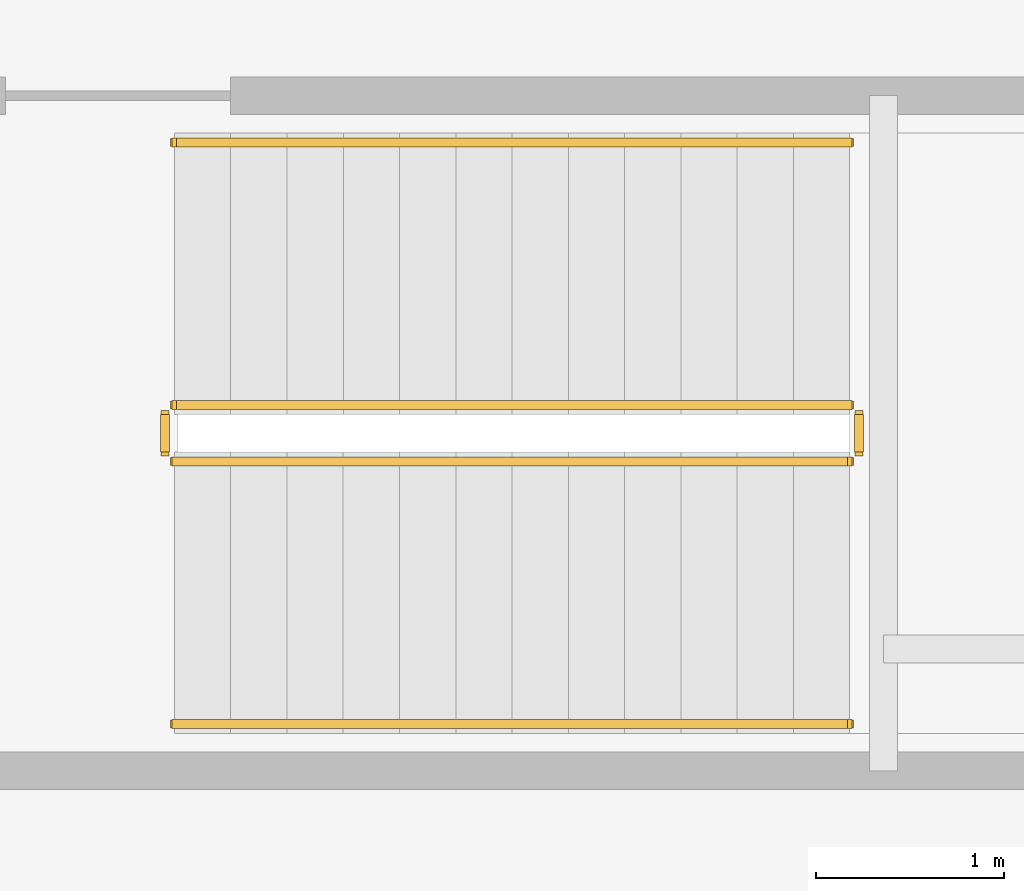
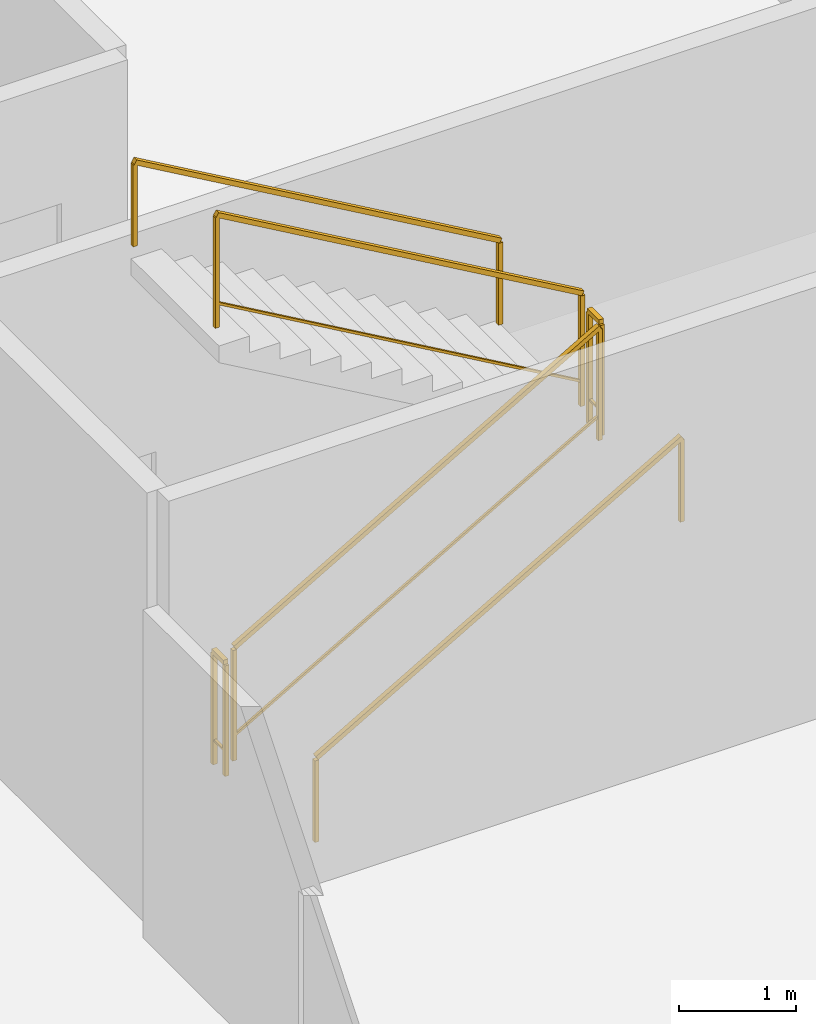
# One storey, part 14 of 14: 6 railings.
"""IFC4 building model written with IfcOpenShell, lengths in metres."""

import ifcopenshell
import ifcopenshell.guid

model = None  # the IFC model being written
_history = None  # IfcOwnerHistory: only IFC2X3 demands one
_inside = {}  # id of a spatial element -> (the spatial element, [elements in it])
_under = {}  # id of a project, library or spatial element -> (it, [spatial elements below it])
_declared = {}  # id of a project -> (the project, [libraries it declares])
_typed = {}  # id of a type object -> (the type object, [elements of that type])
_made_of = {}  # id of a material, layer set ... -> (it, [elements and type objects made of it])


def new_model(schema):
    """Start an empty IFC model of exactly this schema.

    Asked for "IFC4X3", IfcOpenShell would pick the latest addendum, in which some entities
    have other attributes; the version numbers below select the first issue.
    IFC2X3 requires an IfcOwnerHistory on every rooted entity: one is made here for all.
    """
    global model, _history
    if schema == "IFC4X3":
        model = ifcopenshell.file(schema_version=(4, 3, 0, 0))
    else:
        model = ifcopenshell.file(schema=schema)
    _inside.clear()
    _under.clear()
    _declared.clear()
    _typed.clear()
    _made_of.clear()
    _history = None
    if model.schema == "IFC2X3":
        org = make("IfcOrganization", Name="unknown")
        user = make(
            "IfcPersonAndOrganization",
            ThePerson=make("IfcPerson", FamilyName="unknown"),
            TheOrganization=org,
        )
        app = make(
            "IfcApplication",
            ApplicationDeveloper=org,
            Version="unknown",
            ApplicationFullName="unknown",
            ApplicationIdentifier="unknown",
        )
        _history = make(
            "IfcOwnerHistory",
            OwningUser=user,
            OwningApplication=app,
            ChangeAction="ADDED",
            CreationDate=0,
        )
    return model


def make(cls, **values):
    """One entity of the class cls with the attributes given. An attribute that is None is left unset."""
    return model.create_entity(
        cls, **{name: value for name, value in values.items() if value is not None}
    )


def rooted(cls, **values):
    """An entity with a GlobalId (a new one), such as an element, a storey or a relation."""
    return make(cls, GlobalId=ifcopenshell.guid.new(), OwnerHistory=_history, **values)


def si_unit(unit_type, name, prefix=None):
    """IfcSIUnit, for example si_unit("LENGTHUNIT", "METRE", prefix="MILLI")."""
    return make("IfcSIUnit", UnitType=unit_type, Prefix=prefix, Name=name)


def assignment(units):
    """IfcUnitAssignment: the units of a project."""
    return None if units is None else make("IfcUnitAssignment", Units=units)


def point(xyz):
    """IfcCartesianPoint."""
    return None if xyz is None else make("IfcCartesianPoint", Coordinates=xyz)


def direction(xyz):
    """IfcDirection."""
    return None if xyz is None else make("IfcDirection", DirectionRatios=xyz)


def frame(location, z_axis=None, x_axis=None):
    """IfcAxis2Placement3D, a coordinate frame: its origin and axes. An axis left out is left unset."""
    return make(
        "IfcAxis2Placement3D",
        Location=point(location),
        Axis=direction(z_axis),
        RefDirection=direction(x_axis),
    )


def frame_2d(location, x_axis=None):
    """IfcAxis2Placement2D, a coordinate frame in the plane: its origin and x axis."""
    return make(
        "IfcAxis2Placement2D", Location=point(location), RefDirection=direction(x_axis)
    )


def origin():
    """The frame at (0, 0, 0) with its axes left unset."""
    return frame((0.0, 0.0, 0.0))


def origin_2d():
    """The frame at (0, 0) in the plane with its x axis left unset."""
    return frame_2d((0.0, 0.0))


def place(relative_to, where):
    """IfcLocalPlacement: puts the frame where relative to a parent placement (None: the world)."""
    return make(
        "IfcLocalPlacement", PlacementRelTo=relative_to, RelativePlacement=where
    )


def context(
    kind, dimensions, precision=None, world=None, true_north=None, identifier=None
):
    """IfcGeometricRepresentationContext, for example the 3D "Model" context."""
    return make(
        "IfcGeometricRepresentationContext",
        ContextIdentifier=identifier,
        ContextType=kind,
        CoordinateSpaceDimension=dimensions,
        Precision=precision,
        WorldCoordinateSystem=world,
        TrueNorth=true_north,
    )


def subcontext(parent, identifier, kind, view, scale=None):
    """IfcGeometricRepresentationSubContext, for example "Body" below "Model"."""
    return make(
        "IfcGeometricRepresentationSubContext",
        ContextIdentifier=identifier,
        ContextType=kind,
        ParentContext=parent,
        TargetScale=scale,
        TargetView=view,
    )


def project(units=None, contexts=None):
    """IfcProject with its units and contexts."""
    return rooted(
        "IfcProject",
        Name="project",
        RepresentationContexts=contexts,
        UnitsInContext=assignment(units),
    )


def spatial(cls, under=None, at=None, **own):
    """A site, building, storey or space (cls), placed at a placement, below another one or the project."""
    s = rooted(cls, ObjectPlacement=at, **own)
    if under is not None:
        _under.setdefault(under.id(), (under, []))[1].append(s)
    return s


def profile(cls, at=None, kind="AREA", **sizes):
    """A parametric profile (cls). Its sizes go by their IFC names, for example OverallWidth=200.0."""
    return make(cls, ProfileType=kind, Position=at, **sizes)


def rectangle(**sizes):
    """IfcRectangleProfileDef."""
    return profile("IfcRectangleProfileDef", **sizes)


def extrude(swept, where, along, depth):
    """IfcExtrudedAreaSolid: the profile swept, set in the frame where, extruded along a direction by depth."""
    return make(
        "IfcExtrudedAreaSolid",
        SweptArea=swept,
        Position=where,
        ExtrudedDirection=direction(along),
        Depth=depth,
    )


def shape(context_of_items, identifier, shape_type, items):
    """IfcShapeRepresentation: the items that make up one representation, for example the "Body"."""
    return make(
        "IfcShapeRepresentation",
        ContextOfItems=context_of_items,
        RepresentationIdentifier=identifier,
        RepresentationType=shape_type,
        Items=items,
    )


def material(Name=None, Category=None):
    """IfcMaterial."""
    return make("IfcMaterial", Name=Name, Category=Category)


def made_of(thing, what):
    """Note that an element or type object is made of a material, layer set ...; save() writes the relation."""
    if what is not None:
        _made_of.setdefault(what.id(), (what, []))[1].append(thing)
    return thing


def type_object(cls, material=None, **own):
    """A type object (cls), such as IfcWallType, which elements share."""
    return made_of(rooted(cls, **own), material)


def element(
    cls,
    number,
    at=None,
    inside=None,
    cuts=None,
    type_object=None,
    material=None,
    context=None,
    identifier="Body",
    shape_type=None,
    held_by="IfcProductDefinitionShape",
    body=None,
    shapes=None,
    **own,
):
    """One element of the class cls, such as IfcWall. Its Tag is "e" and its number.

    at: its placement. inside: the storey or other place that contains it. cuts: it is an
    opening in that element (IfcRelVoidsElement). A single representation is given by context,
    identifier, shape_type and body (its items); several are given by shapes. held_by: the class
    of the entity that holds the representations. save() writes the other relations.
    """
    e = rooted(cls, Tag="e%d" % number, ObjectPlacement=at, **own)
    if body is not None:
        shapes = [shape(context, identifier, shape_type, body)]
    if shapes is not None:
        e.Representation = make(held_by, Representations=shapes)
    if inside is not None:
        _inside.setdefault(inside.id(), (inside, []))[1].append(e)
    if cuts is not None:
        rooted(
            "IfcRelVoidsElement", RelatingBuildingElement=cuts, RelatedOpeningElement=e
        )
    if type_object is not None:
        _typed.setdefault(type_object.id(), (type_object, []))[1].append(e)
    return made_of(e, material)


def aggregate(whole, parts):
    """IfcRelAggregates: a whole, such as a stair, and the parts it consists of."""
    return rooted("IfcRelAggregates", RelatingObject=whole, RelatedObjects=parts)


def save(model, path):
    """Write the relations noted so far, then the file.

    IfcRelAggregates (storeys below a building ...), IfcRelContainedInSpatialStructure (elements
    in a storey), IfcRelDefinesByType, IfcRelAssociatesMaterial and IfcRelDeclares: one each for
    every whole, place, type object, material and project.
    """
    for whole, parts in _under.values():
        aggregate(whole, parts)
    for where, things in _inside.values():
        rooted(
            "IfcRelContainedInSpatialStructure",
            RelatedElements=things,
            RelatingStructure=where,
        )
    for kind, things in _typed.values():
        rooted("IfcRelDefinesByType", RelatedObjects=things, RelatingType=kind)
    for what, things in _made_of.values():
        rooted("IfcRelAssociatesMaterial", RelatedObjects=things, RelatingMaterial=what)
    for by, libraries in _declared.values():
        rooted("IfcRelDeclares", RelatingContext=by, RelatedDefinitions=libraries)
    model.write(path)


model = new_model("IFC4")

# Units and contexts
model_context = context("Model", 3, precision=1e-05, world=origin(), true_north=direction((0.0, 1.0)))
body_context = subcontext(model_context, "Body", "Model", "MODEL_VIEW")
ifc_project = project(units=[si_unit("LENGTHUNIT", "METRE"), si_unit("AREAUNIT", "SQUARE_METRE"), si_unit("VOLUMEUNIT", "CUBIC_METRE"), si_unit("PLANEANGLEUNIT", "RADIAN"), si_unit("MASSUNIT", "GRAM", prefix="KILO")], contexts=[model_context])

# Site, building, storey
site_placement = place(None, origin())
site = spatial("IfcSite", under=ifc_project, at=site_placement, CompositionType="ELEMENT")
building_placement = place(site_placement, origin())
building = spatial("IfcBuilding", under=site, at=building_placement, Name="Svetorya Sky Lyceum", CompositionType="ELEMENT")
storey_placement = place(building_placement, frame((0.0, 0.0, 15.60009765625)))
storey = spatial("IfcBuildingStorey", under=building, at=storey_placement, Name="L03", CompositionType="ELEMENT", Elevation=15.60009765625)

# Railings
ifc_material_1 = material(Name="Painted galvanized stair well guard")
railing_type_1 = type_object("IfcRailingType", Name="RL-STR-GUARD-1200", PredefinedType="GUARDRAIL", material=ifc_material_1)
railing_1_placement = place(storey_placement, frame((68.25, 24.25, 0.173095703125)))
element("IfcRailing", 1, at=railing_1_placement, inside=storey, type_object=railing_type_1, Name="L03 ST-SCH-E stair guard 1", PredefinedType="GUARDRAIL", context=body_context, shape_type="SweptSolid", body=[
    extrude(rectangle(XDim=0.048095703125, YDim=0.048095703125, at=origin_2d()), frame((0.0, 0.0, 1.17578125), z_axis=(0.866193409371, 0.0, 0.499708892819), x_axis=(0.0, 1.0, 0.0)), (0.0, 0.0, 1.0), 4.15625),
    extrude(rectangle(XDim=0.02392578125, YDim=0.02392578125, at=origin_2d()), frame((0.0, 0.0, 0.25), z_axis=(0.866193409371, 0.0, 0.499708892819), x_axis=(0.0, 1.0, 0.0)), (0.0, 0.0, 1.0), 4.15625),
    extrude(rectangle(XDim=0.0419921875, YDim=0.0419921875, at=origin_2d()), origin(), (0.0, 0.0, 1.0), 1.15185546875),
    extrude(rectangle(XDim=0.0419921875, YDim=0.0419921875, at=origin_2d()), frame((3.60009765625, 0.0, 2.076904296875)), (0.0, 0.0, 1.0), 1.15185546875),
])
railing_2_placement = place(storey_placement, frame((71.89990234375, 24.300048828125, 2.25)))
element("IfcRailing", 2, at=railing_2_placement, inside=storey, type_object=railing_type_1, Name="L03 ST-SCH-E stair guard 2", PredefinedType="GUARDRAIL", context=body_context, shape_type="SweptSolid", body=[
    extrude(rectangle(XDim=0.048095703125, YDim=0.048095703125, at=origin_2d()), frame((0.0, 0.0, 1.17578125), z_axis=(0.0, 1.0, 0.0), x_axis=(-1.0, 0.0, 0.0)), (0.0, 0.0, 1.0), 0.199951171875),
    extrude(rectangle(XDim=0.02392578125, YDim=0.02392578125, at=origin_2d()), frame((0.0, 0.0, 0.25), z_axis=(0.0, 1.0, 0.0), x_axis=(-1.0, 0.0, 0.0)), (0.0, 0.0, 1.0), 0.199951171875),
    extrude(rectangle(XDim=0.0419921875, YDim=0.0419921875, at=origin_2d()), origin(), (0.0, 0.0, 1.0), 1.15185546875),
    extrude(rectangle(XDim=0.0419921875, YDim=0.0419921875, at=origin_2d()), frame((0.0, 0.199951171875, 0.0)), (0.0, 0.0, 1.0), 1.15185546875),
])
railing_3_placement = place(storey_placement, frame((71.85009765625, 24.550048828125, 2.423095703125)))
element("IfcRailing", 3, at=railing_3_placement, inside=storey, type_object=railing_type_1, Name="L03 ST-SCH-E stair guard 3", PredefinedType="GUARDRAIL", context=body_context, shape_type="SweptSolid", body=[
    extrude(rectangle(XDim=0.048095703125, YDim=0.048095703125, at=origin_2d()), frame((0.0, 0.0, 1.17578125), z_axis=(-0.866193409371, 0.0, 0.499708892819), x_axis=(0.0, -1.0, 0.0)), (0.0, 0.0, 1.0), 4.15625),
    extrude(rectangle(XDim=0.02392578125, YDim=0.02392578125, at=origin_2d()), frame((0.0, 0.0, 0.25), z_axis=(-0.866193409371, 0.0, 0.499708892819), x_axis=(0.0, -1.0, 0.0)), (0.0, 0.0, 1.0), 4.15625),
    extrude(rectangle(XDim=0.0419921875, YDim=0.0419921875, at=origin_2d()), origin(), (0.0, 0.0, 1.0), 1.15185546875),
    extrude(rectangle(XDim=0.0419921875, YDim=0.0419921875, at=origin_2d()), frame((-3.60009765625, 0.0, 2.076904296875)), (0.0, 0.0, 1.0), 1.15185546875),
])
railing_4_placement = place(storey_placement, frame((68.199951171875, 24.300048828125, 0.0)))
element("IfcRailing", 4, at=railing_4_placement, inside=storey, type_object=railing_type_1, Name="L03 ST-SCH-E stair guard 4", PredefinedType="GUARDRAIL", context=body_context, shape_type="SweptSolid", body=[
    extrude(rectangle(XDim=0.048095703125, YDim=0.048095703125, at=origin_2d()), frame((0.0, 0.0, 1.17578125), z_axis=(0.0, 1.0, 0.0), x_axis=(-1.0, 0.0, 0.0)), (0.0, 0.0, 1.0), 0.199951171875),
    extrude(rectangle(XDim=0.02392578125, YDim=0.02392578125, at=origin_2d()), frame((0.0, 0.0, 0.25), z_axis=(0.0, 1.0, 0.0), x_axis=(-1.0, 0.0, 0.0)), (0.0, 0.0, 1.0), 0.199951171875),
    extrude(rectangle(XDim=0.0419921875, YDim=0.0419921875, at=origin_2d()), origin(), (0.0, 0.0, 1.0), 1.15185546875),
    extrude(rectangle(XDim=0.0419921875, YDim=0.0419921875, at=origin_2d()), frame((0.0, 0.199951171875, 0.0)), (0.0, 0.0, 1.0), 1.15185546875),
])
ifc_material_2 = material(Name="Brushed stainless AISI 304 stair handrail")
railing_type_2 = type_object("IfcRailingType", Name="RL-STR-HAND-920", PredefinedType="HANDRAIL", material=ifc_material_2)
railing_5_placement = place(storey_placement, frame((68.25, 22.85009765625, 0.173095703125)))
element("IfcRailing", 5, at=railing_5_placement, inside=storey, type_object=railing_type_2, Name="L03 ST-SCH-E stair handrail 1", PredefinedType="HANDRAIL", context=body_context, shape_type="SweptSolid", body=[
    extrude(rectangle(XDim=0.048095703125, YDim=0.048095703125, at=origin_2d()), frame((0.0, 0.0, 0.8759765625), z_axis=(0.866193409371, 0.0, 0.499708892819), x_axis=(0.0, 1.0, 0.0)), (0.0, 0.0, 1.0), 4.15625),
    extrude(rectangle(XDim=0.0419921875, YDim=0.0419921875, at=origin_2d()), origin(), (0.0, 0.0, 1.0), 0.851806640625),
    extrude(rectangle(XDim=0.0419921875, YDim=0.0419921875, at=origin_2d()), frame((3.60009765625, 0.0, 2.076904296875)), (0.0, 0.0, 1.0), 0.851806640625),
])
railing_6_placement = place(storey_placement, frame((71.85009765625, 25.949951171875, 2.423095703125)))
element("IfcRailing", 6, at=railing_6_placement, inside=storey, type_object=railing_type_2, Name="L03 ST-SCH-E stair handrail 2", PredefinedType="HANDRAIL", context=body_context, shape_type="SweptSolid", body=[
    extrude(rectangle(XDim=0.048095703125, YDim=0.048095703125, at=origin_2d()), frame((0.0, 0.0, 0.8759765625), z_axis=(-0.866193409371, 0.0, 0.499708892819), x_axis=(0.0, -1.0, 0.0)), (0.0, 0.0, 1.0), 4.15625),
    extrude(rectangle(XDim=0.0419921875, YDim=0.0419921875, at=origin_2d()), origin(), (0.0, 0.0, 1.0), 0.851806640625),
    extrude(rectangle(XDim=0.0419921875, YDim=0.0419921875, at=origin_2d()), frame((-3.60009765625, 0.0, 2.076904296875)), (0.0, 0.0, 1.0), 0.851806640625),
])

save(model, "model.ifc")
